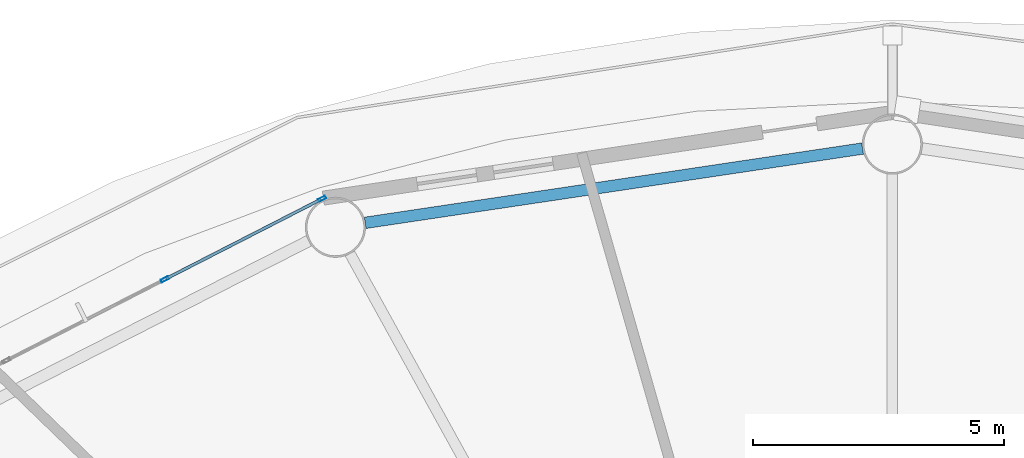
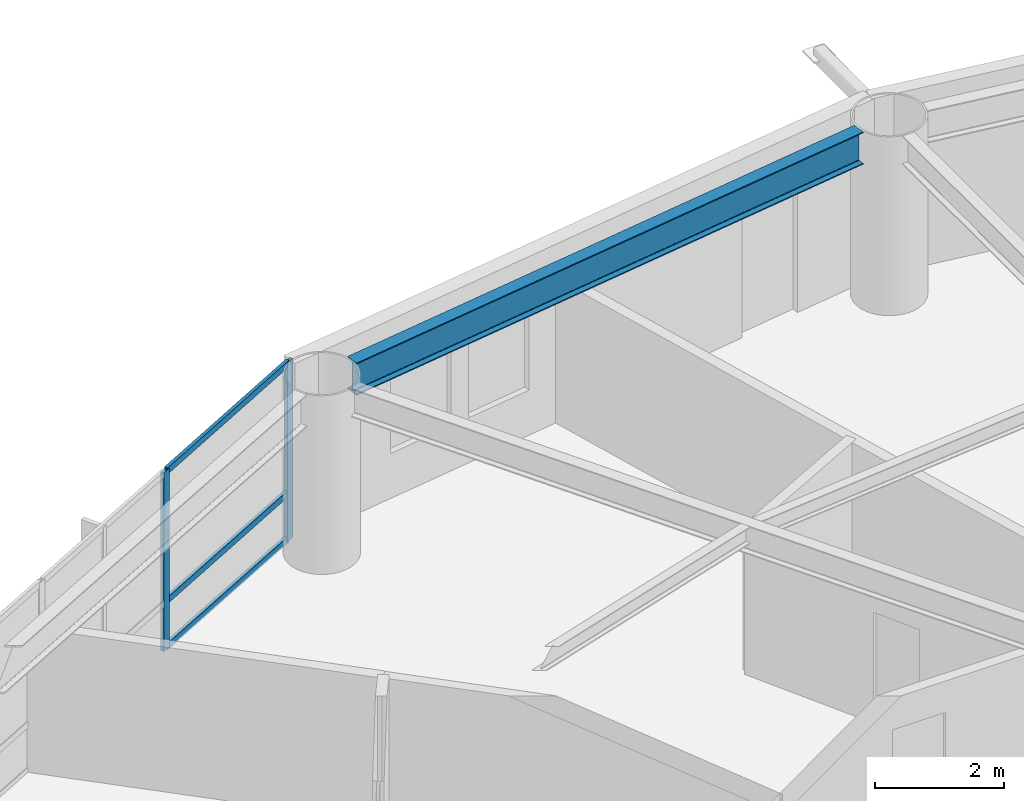
# One storey, part 10 of 24: 5 members, 1 beam, 1 element without a shape of its own.
"""IFC4 building model written with IfcOpenShell, lengths in metres."""

from ifc_helpers import new_model, si_unit, direction, frame, origin, origin_2d, place, context, subcontext, project, spatial, hollow_rectangle, i_section, extrude, material, layer, layer_set, material_profile, profile_set, type_object, element, aggregate, save


model = new_model("IFC4")

# Units and contexts
model_context = context("Model", 3, precision=1e-05, world=origin(), true_north=direction((0.0, 1.0)))
body_context = subcontext(model_context, "Body", "Model", "MODEL_VIEW")
ifc_project = project(units=[si_unit("LENGTHUNIT", "METRE"), si_unit("AREAUNIT", "SQUARE_METRE"), si_unit("VOLUMEUNIT", "CUBIC_METRE"), si_unit("PLANEANGLEUNIT", "RADIAN"), si_unit("MASSUNIT", "GRAM", prefix="KILO")], contexts=[model_context])

# Site, building, storey
site_placement = place(None, origin())
site = spatial("IfcSite", under=ifc_project, at=site_placement, CompositionType="ELEMENT")
building_placement = place(site_placement, origin())
building = spatial("IfcBuilding", under=site, at=building_placement, Name="Sarneth Arch Tower", CompositionType="ELEMENT")
storey_placement = place(building_placement, frame((0.0, 0.0, 102.0)))
storey = spatial("IfcBuildingStorey", under=building, at=storey_placement, Name="L25", CompositionType="ELEMENT", Elevation=102.0)

# Beam
ifc_material_1 = material(Name="Steel S355", Category="steel")
ifc_material_profile_1 = material_profile(ifc_material_1, i_section(OverallWidth=0.22900390625, OverallDepth=0.612060546875, WebThickness=0.011962890625, FlangeThickness=0.01953125, FilletRadius=0.01904296875, at=origin_2d()), Name="W610x125")
ifc_profile_set_1 = profile_set([ifc_material_profile_1], Name="Steel S355")
beam_type = type_object("IfcBeamType", Name="BM-SPAN-610C", PredefinedType="SPANDREL", material=ifc_profile_set_1)
beam_placement = place(storey_placement, frame((47.406494140625, 63.71142578125, 3.073974609375), z_axis=(-0.989028613319, -0.147724073992, 0.0), x_axis=(0.147724073992, -0.989028613319, 0.0)))
element("IfcBeam", 1, at=beam_placement, inside=storey, type_object=beam_type, Name="L25 Perimeter spandrel beam 05", PredefinedType="SPANDREL", context=body_context, shape_type="SweptSolid", body=[
    extrude(i_section(OverallWidth=0.22900390625, OverallDepth=0.612060546875, WebThickness=0.011962890625, FlangeThickness=0.01953125, FilletRadius=0.01904296875, at=origin_2d()), origin(), (0.0, 0.0, 1.0), 10.033447265625),
])

# Curtain wall, members
ifc_material_2 = material(Name="Anodised aluminium Type AA25 and solar-control low-e laminated IGU", Category="aluminium")
ifc_layer = layer(ifc_material_2, 0.159912109375)
ifc_layer_set = layer_set([ifc_layer], Name="Anodised aluminium Type AA25 and solar-control low-e laminated IGU")
curtain_wall_type = type_object("IfcCurtainWallType", Name="CW-HOTEL-MID", PredefinedType="NOTDEFINED", material=ifc_layer_set)
curtain_wall_placement = place(storey_placement, origin())
curtain_wall = element("IfcCurtainWall", 2, at=curtain_wall_placement, inside=storey, type_object=curtain_wall_type, Name="L25 Unitised curtain wall facet 06", PredefinedType="NOTDEFINED")
ifc_material_3 = material(Name="Anodised Aluminium 6063-T6", Category="aluminium")
ifc_material_profile_2 = material_profile(ifc_material_3, hollow_rectangle(XDim=0.06005859375, YDim=0.159912109375, WallThickness=0.00390625, at=origin_2d()), Name="AL-MULL-160x60x4")
ifc_profile_set_2 = profile_set([ifc_material_profile_2], Name="Anodised Aluminium 6063-T6")
member_type_1 = type_object("IfcMemberType", Name="CW-MULLION", PredefinedType="MULLION", material=ifc_profile_set_2)
member_1_placement = place(storey_placement, frame((36.6220703125, 62.708984375, 0.0), z_axis=(0.0, 0.0, 1.0), x_axis=(0.456031365356, -0.889963703649, 0.0)))
member_1 = element("IfcMember", 3, at=member_1_placement, type_object=member_type_1, Name="CW-SYS-4 mullion 1", PredefinedType="MULLION", context=body_context, shape_type="SweptSolid", body=[
    extrude(hollow_rectangle(XDim=0.06005859375, YDim=0.159912109375, WallThickness=0.00390625, at=origin_2d()), origin(), (0.0, 0.0, 1.0), 3.3798828125),
])
member_2_placement = place(storey_placement, frame((33.48583984375, 61.101806640625, 0.0), z_axis=(0.0, 0.0, 1.0), x_axis=(0.456031365356, -0.889963703649, 0.0)))
member_2 = element("IfcMember", 4, at=member_2_placement, type_object=member_type_1, Name="CW-SYS-4 mullion 2", PredefinedType="MULLION", context=body_context, shape_type="SweptSolid", body=[
    extrude(hollow_rectangle(XDim=0.06005859375, YDim=0.159912109375, WallThickness=0.00390625, at=origin_2d()), origin(), (0.0, 0.0, 1.0), 3.3798828125),
])
ifc_material_4 = material(Name="Anodised Aluminium 6063-T6", Category="aluminium")
ifc_material_profile_3 = material_profile(ifc_material_4, hollow_rectangle(XDim=0.06005859375, YDim=0.1201171875, WallThickness=0.00390625, at=origin_2d()), Name="AL-TRAN-120x60x4")
ifc_profile_set_3 = profile_set([ifc_material_profile_3], Name="Anodised Aluminium 6063-T6")
member_type_2 = type_object("IfcMemberType", Name="CW-TRANSOM", PredefinedType="USERDEFINED", material=ifc_profile_set_3)
member_3_placement = place(storey_placement, frame((36.595458984375, 62.6953125, 0.030029296875), z_axis=(-0.889957563627, -0.456043347658, 0.0), x_axis=(0.456043347658, -0.889957563627, 0.0)))
member_3 = element("IfcMember", 5, at=member_3_placement, type_object=member_type_2, Name="CW-SYS-4 transom 1.1", ObjectType="TRANSOM", PredefinedType="USERDEFINED", context=body_context, shape_type="SweptSolid", body=[
    extrude(hollow_rectangle(XDim=0.06005859375, YDim=0.1201171875, WallThickness=0.00390625, at=origin_2d()), origin(), (0.0, 0.0, 1.0), 3.464111328125),
])
member_4_placement = place(storey_placement, frame((36.595458984375, 62.6953125, 0.89990234375), z_axis=(-0.889957563627, -0.456043347658, 0.0), x_axis=(0.456043347658, -0.889957563627, 0.0)))
member_4 = element("IfcMember", 6, at=member_4_placement, type_object=member_type_2, Name="CW-SYS-4 transom 1.2", ObjectType="TRANSOM", PredefinedType="USERDEFINED", context=body_context, shape_type="SweptSolid", body=[
    extrude(hollow_rectangle(XDim=0.06005859375, YDim=0.1201171875, WallThickness=0.00390625, at=origin_2d()), origin(), (0.0, 0.0, 1.0), 3.464111328125),
])
member_5_placement = place(storey_placement, frame((36.595458984375, 62.6953125, 3.35009765625), z_axis=(-0.889957563627, -0.456043347658, 0.0), x_axis=(0.456043347658, -0.889957563627, 0.0)))
member_5 = element("IfcMember", 7, at=member_5_placement, type_object=member_type_2, Name="CW-SYS-4 transom 1.3", ObjectType="TRANSOM", PredefinedType="USERDEFINED", context=body_context, shape_type="SweptSolid", body=[
    extrude(hollow_rectangle(XDim=0.06005859375, YDim=0.1201171875, WallThickness=0.00390625, at=origin_2d()), origin(), (0.0, 0.0, 1.0), 3.464111328125),
])
aggregate(curtain_wall, [member_1, member_2, member_3, member_4, member_5])

save(model, "model.ifc")
